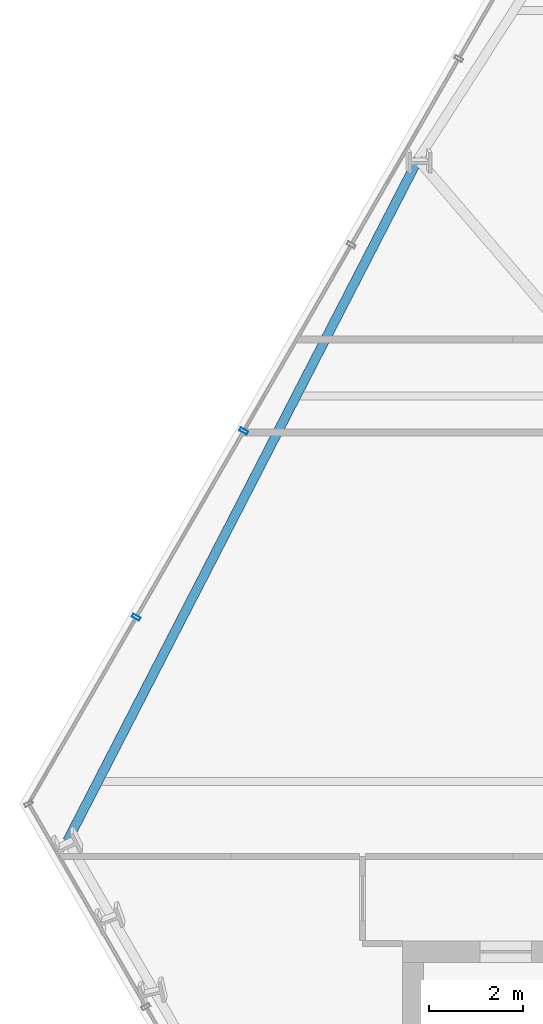
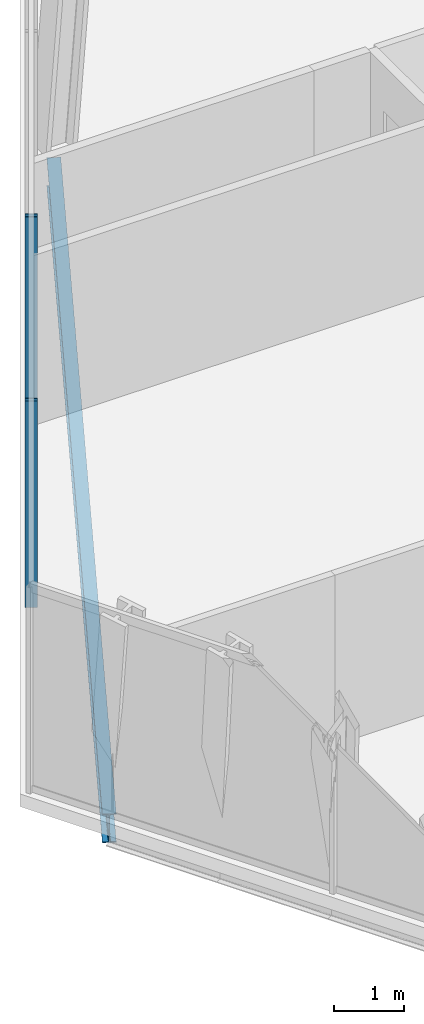
# One storey, part 11 of 32: 2 members, 1 beam, 1 element without a shape of its own.
"""IFC4 building model written with IfcOpenShell, lengths in metres."""

from ifc_helpers import new_model, si_unit, direction, frame, origin, origin_2d, place, context, subcontext, project, spatial, hollow_rectangle, i_section, extrude, material, layer, layer_set, material_profile, profile_set, type_object, element, aggregate, save


model = new_model("IFC4")

# Units and contexts
model_context = context("Model", 3, precision=1e-05, world=origin(), true_north=direction((0.0, 1.0)))
body_context = subcontext(model_context, "Body", "Model", "MODEL_VIEW")
ifc_project = project(units=[si_unit("LENGTHUNIT", "METRE"), si_unit("AREAUNIT", "SQUARE_METRE"), si_unit("VOLUMEUNIT", "CUBIC_METRE"), si_unit("PLANEANGLEUNIT", "RADIAN"), si_unit("MASSUNIT", "GRAM", prefix="KILO")], contexts=[model_context])

# Site, building, storey
site_placement = place(None, origin())
site = spatial("IfcSite", under=ifc_project, at=site_placement, CompositionType="ELEMENT")
building_placement = place(site_placement, origin())
building = spatial("IfcBuilding", under=site, at=building_placement, Name="Ndaravel Arena Tower", CompositionType="ELEMENT")
storey_placement = place(building_placement, frame((0.0, 0.0, 77.800048828125)))
storey = spatial("IfcBuildingStorey", under=building, at=storey_placement, Name="L17", CompositionType="ELEMENT", Elevation=77.800048828125)

# Beam
ifc_material_1 = material(Name="Steel S355", Category="steel")
ifc_material_profile_1 = material_profile(ifc_material_1, i_section(OverallWidth=0.199951171875, OverallDepth=0.5, WebThickness=0.01025390625, FlangeThickness=0.01611328125, FilletRadius=0.02099609375, at=origin_2d()), Name="IPE 500")
ifc_profile_set_1 = profile_set([ifc_material_profile_1], Name="Steel S355")
beam_type = type_object("IfcBeamType", Name="BM-SPAN-IPE500", PredefinedType="SPANDREL", material=ifc_profile_set_1)
beam_placement = place(storey_placement, frame((26.783203125, 31.836181640625, -0.469970703125), z_axis=(-0.457437664156, -0.8892416901, 0.0), x_axis=(0.8892416901, -0.457437664156, 0.0)))
element("IfcBeam", 1, at=beam_placement, inside=storey, type_object=beam_type, Name="L17 Perimeter Spandrel Beam SP-19", PredefinedType="SPANDREL", context=body_context, shape_type="SweptSolid", body=[
    extrude(i_section(OverallWidth=0.199951171875, OverallDepth=0.5, WebThickness=0.01025390625, FlangeThickness=0.01611328125, FilletRadius=0.02099609375, at=origin_2d()), origin(), (0.0, 0.0, 1.0), 16.305419921875),
])

# Curtain wall, members
ifc_material_2 = material(Name="Aluminium", Category="aluminium")
ifc_layer = layer(ifc_material_2, 0.179931640625)
ifc_layer_set = layer_set([ifc_layer], Name="Aluminium")
curtain_wall_type = type_object("IfcCurtainWallType", Name="CW-SYS-03", PredefinedType="NOTDEFINED", material=ifc_layer_set)
curtain_wall_placement = place(storey_placement, origin())
curtain_wall = element("IfcCurtainWall", 2, at=curtain_wall_placement, inside=storey, type_object=curtain_wall_type, Name="L17 Faceted Crystal Curtain Wall CW-L17-E05", PredefinedType="NOTDEFINED")
ifc_material_3 = material(Name="Aluminium", Category="aluminium")
ifc_material_profile_2 = material_profile(ifc_material_3, hollow_rectangle(XDim=0.074951171875, YDim=0.179931640625, WallThickness=0.00390625, at=origin_2d()), Name="CW MULLION 75x180x4")
ifc_profile_set_2 = profile_set([ifc_material_profile_2], Name="Aluminium")
member_type = type_object("IfcMemberType", Name="MEM-CW-MUL180", PredefinedType="MULLION", material=ifc_profile_set_2)
member_1_placement = place(storey_placement, frame((23.07421875, 26.052490234375, 0.0), z_axis=(0.0, 0.0, 1.0), x_axis=(-0.5, -0.866025403784, 0.0)))
member_1 = element("IfcMember", 3, at=member_1_placement, type_object=member_type, Name="CW-L17-E05 Mullion 05", PredefinedType="MULLION", context=body_context, shape_type="SweptSolid", body=[
    extrude(hollow_rectangle(XDim=0.074951171875, YDim=0.179931640625, WallThickness=0.00390625, at=origin_2d()), origin(), (0.0, 0.0, 1.0), 3.579833984375),
])
member_2_placement = place(storey_placement, frame((20.786376953125, 22.089599609375, 0.0), z_axis=(0.0, 0.0, 1.0), x_axis=(-0.5, -0.866025403784, 0.0)))
member_2 = element("IfcMember", 4, at=member_2_placement, type_object=member_type, Name="CW-L17-E05 Mullion 06", PredefinedType="MULLION", context=body_context, shape_type="SweptSolid", body=[
    extrude(hollow_rectangle(XDim=0.074951171875, YDim=0.179931640625, WallThickness=0.00390625, at=origin_2d()), origin(), (0.0, 0.0, 1.0), 3.579833984375),
])
aggregate(curtain_wall, [member_1, member_2])

save(model, "model.ifc")
